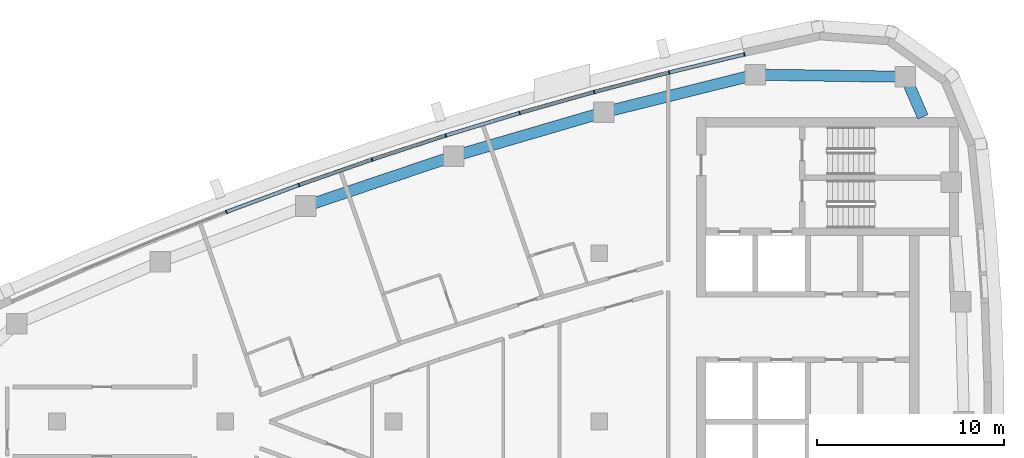
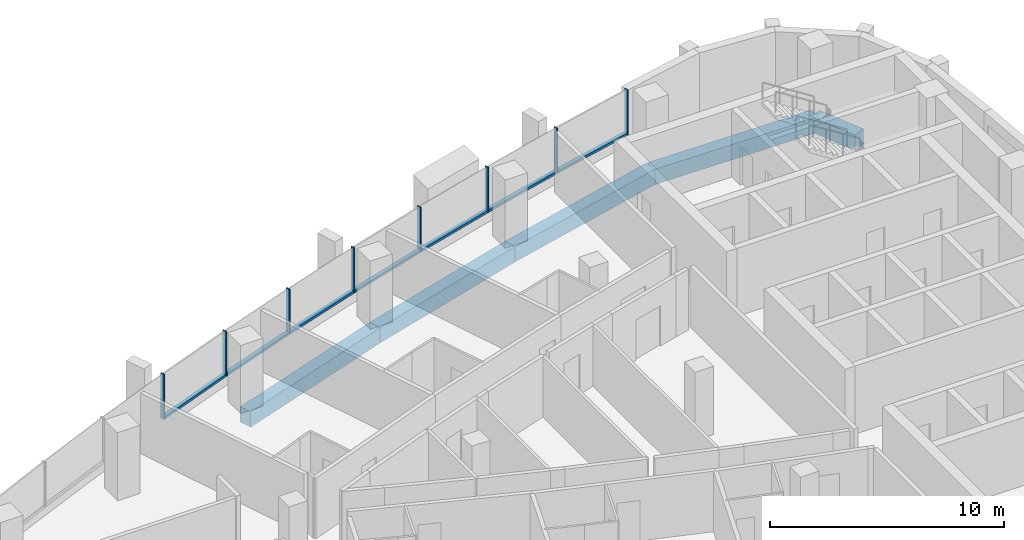
# One storey, part 5 of 14: 15 members, 5 beams, 4 elements without a shape of their own.
"""IFC4 building model written with IfcOpenShell, lengths in metres."""

from ifc_helpers import new_model, si_unit, direction, frame, origin, origin_2d, place, context, subcontext, project, spatial, rectangle, extrude, material, layer, layer_set, material_profile, profile_set, type_object, element, aggregate, save


model = new_model("IFC4")

# Units and contexts
model_context = context("Model", 3, precision=1e-05, world=origin(), true_north=direction((0.0, 1.0)))
body_context = subcontext(model_context, "Body", "Model", "MODEL_VIEW")
ifc_project = project(units=[si_unit("LENGTHUNIT", "METRE"), si_unit("AREAUNIT", "SQUARE_METRE"), si_unit("VOLUMEUNIT", "CUBIC_METRE"), si_unit("PLANEANGLEUNIT", "RADIAN"), si_unit("MASSUNIT", "GRAM", prefix="KILO")], contexts=[model_context])

# Site, building, storey
site_placement = place(None, origin())
site = spatial("IfcSite", under=ifc_project, at=site_placement, CompositionType="ELEMENT")
building_placement = place(site_placement, origin())
building = spatial("IfcBuilding", under=site, at=building_placement, Name="Ostrand Prow Hotel Tower", CompositionType="ELEMENT")
storey_placement = place(building_placement, frame((0.0, 0.0, 299.85009765625)))
storey = spatial("IfcBuildingStorey", under=building, at=storey_placement, Name="L76", CompositionType="ELEMENT", Elevation=299.85009765625)

# Beams
ifc_material_1 = material(Name="Concrete C50/60", Category="concrete")
ifc_material_profile_1 = material_profile(ifc_material_1, rectangle(XDim=0.60009765625, YDim=0.800048828125, at=origin_2d()), Name="RC 600x800")
ifc_profile_set_1 = profile_set([ifc_material_profile_1], Name="Concrete C50/60")
beam_type = type_object("IfcBeamType", Name="Edge beam 600x800 C50/60", PredefinedType="SPANDREL", material=ifc_profile_set_1)
beam_1_placement = place(storey_placement, frame((62.304931640625, 16.300048828125, -0.7001953125), z_axis=(-0.398863844187, 0.91701016014, 0.0), x_axis=(-0.91701016014, -0.398863844187, 0.0)))
element("IfcBeam", 1, at=beam_1_placement, inside=storey, type_object=beam_type, Name="Edge beam B5-NE", PredefinedType="SPANDREL", context=body_context, shape_type="SweptSolid", body=[
    extrude(rectangle(XDim=0.60009765625, YDim=0.800048828125, at=origin_2d()), origin(), (0.0, 0.0, 1.0), 2.333251953125),
])
beam_2_placement = place(storey_placement, frame((61.374267578125, 18.439697265625, -0.7001953125), z_axis=(-0.999900689486, 0.014092947356, 0.0), x_axis=(-0.014092947356, -0.999900689486, 0.0)))
element("IfcBeam", 2, at=beam_2_placement, inside=storey, type_object=beam_type, Name="Edge beam NE-N1", PredefinedType="SPANDREL", context=body_context, shape_type="SweptSolid", body=[
    extrude(rectangle(XDim=0.60009765625, YDim=0.800048828125, at=origin_2d()), origin(), (0.0, 0.0, 1.0), 8.0380859375),
])
for number, where, z_axis, x_axis, name in (
    (3, (53.3369140625, 18.552978515625, -0.7001953125), (-0.970456465292, -0.241276291775, 0.0), (0.241276291775, -0.970456465292, 0.0), "Edge beam N1-N2"),
    (4, (45.234619140625, 16.53857421875, -0.7001953125), (-0.959821966031, -0.280609681809, 0.0), (0.280609681809, -0.959821966031, 0.0), "Edge beam N2-N3"),
    (5, (37.22119140625, 14.19580078125, -0.7001953125), (-0.947575089419, -0.319533174981, 0.0), (0.319533174981, -0.947575089419, 0.0), "Edge beam N3-N4"),
):
    element("IfcBeam", number, at=place(storey_placement, frame(where, z_axis=z_axis, x_axis=x_axis)), inside=storey, type_object=beam_type, Name=name, PredefinedType="SPANDREL", context=body_context, shape_type="SweptSolid", body=[
        extrude(rectangle(XDim=0.60009765625, YDim=0.800048828125, at=origin_2d()), origin(), (0.0, 0.0, 1.0), 8.348876953125),
    ])

# Curtain wall, members
ifc_material_2 = material(Name="Insulated glass in bronze anodised frame", Category="glass")
ifc_layer = layer(ifc_material_2, 0.199951171875)
ifc_layer_set = layer_set([ifc_layer], Name="Insulated glass in bronze anodised frame")
curtain_wall_type = type_object("IfcCurtainWallType", Name="Strip curtain wall, fritted glass over bronze spandrel", PredefinedType="NOTDEFINED", material=ifc_layer_set)
curtain_wall_1_placement = place(storey_placement, origin())
curtain_wall_1 = element("IfcCurtainWall", 6, at=curtain_wall_1_placement, inside=storey, type_object=curtain_wall_type, Name="CW1 run CWN1", PredefinedType="NOTDEFINED")
ifc_material_3 = material(Name="Bronze anodised aluminium", Category="aluminium")
ifc_material_profile_2 = material_profile(ifc_material_3, rectangle(XDim=0.199951171875, YDim=0.06005859375, at=origin_2d()), Name="Mullion 60x200 bronze anodised aluminium")
ifc_profile_set_2 = profile_set([ifc_material_profile_2], Name="Bronze anodised aluminium")
member_type_1 = type_object("IfcMemberType", Name="Mullion 60x200 bronze anodised aluminium", PredefinedType="MULLION", material=ifc_profile_set_2)
member_1_placement = place(storey_placement, frame((52.7607421875, 19.634521484375, 0.89990234375), z_axis=(0.0, 0.0, 1.0), x_axis=(0.232746096028, -0.972537533869, 0.0)))
member_1 = element("IfcMember", 7, at=member_1_placement, type_object=member_type_1, Name="CW1 mullion 1", PredefinedType="MULLION", context=body_context, shape_type="SweptSolid", body=[
    extrude(rectangle(XDim=0.199951171875, YDim=0.06005859375, at=origin_2d()), origin(), (0.0, 0.0, 1.0), 2.35009765625),
])
member_2_placement = place(storey_placement, frame((48.734619140625, 18.6708984375, 0.89990234375), z_axis=(0.0, 0.0, 1.0), x_axis=(0.252248384867, -0.967662519855, 0.0)))
member_2 = element("IfcMember", 8, at=member_2_placement, type_object=member_type_1, Name="CW1 mullion 2", PredefinedType="MULLION", context=body_context, shape_type="SweptSolid", body=[
    extrude(rectangle(XDim=0.199951171875, YDim=0.06005859375, at=origin_2d()), origin(), (0.0, 0.0, 1.0), 2.35009765625),
])
member_3_placement = place(storey_placement, frame((44.728515625, 17.626708984375, 0.89990234375), z_axis=(0.0, 0.0, 1.0), x_axis=(0.252248384867, -0.967662519855, 0.0)))
member_3 = element("IfcMember", 9, at=member_3_placement, type_object=member_type_1, Name="CW1 mullion 3", PredefinedType="MULLION", context=body_context, shape_type="SweptSolid", body=[
    extrude(rectangle(XDim=0.199951171875, YDim=0.06005859375, at=origin_2d()), origin(), (0.0, 0.0, 1.0), 2.35009765625),
])

curtain_wall_2_placement = place(storey_placement, origin())
curtain_wall_2 = element("IfcCurtainWall", 10, at=curtain_wall_2_placement, inside=storey, type_object=curtain_wall_type, Name="CW1 run CWN2", PredefinedType="NOTDEFINED")
member_4_placement = place(storey_placement, frame((40.744384765625, 16.502197265625, 0.89990234375), z_axis=(0.0, 0.0, 1.0), x_axis=(0.290937648411, -0.956742015769, 0.0)))
member_4 = element("IfcMember", 11, at=member_4_placement, type_object=member_type_1, Name="CW1 mullion 2", PredefinedType="MULLION", context=body_context, shape_type="SweptSolid", body=[
    extrude(rectangle(XDim=0.199951171875, YDim=0.06005859375, at=origin_2d()), origin(), (0.0, 0.0, 1.0), 2.35009765625),
])
member_5_placement = place(storey_placement, frame((36.78369140625, 15.297607421875, 0.89990234375), z_axis=(0.0, 0.0, 1.0), x_axis=(0.290937648411, -0.956742015769, 0.0)))
member_5 = element("IfcMember", 12, at=member_5_placement, type_object=member_type_1, Name="CW1 mullion 3", PredefinedType="MULLION", context=body_context, shape_type="SweptSolid", body=[
    extrude(rectangle(XDim=0.199951171875, YDim=0.06005859375, at=origin_2d()), origin(), (0.0, 0.0, 1.0), 2.35009765625),
])

curtain_wall_3_placement = place(storey_placement, origin())
curtain_wall_3 = element("IfcCurtainWall", 13, at=curtain_wall_3_placement, inside=storey, type_object=curtain_wall_type, Name="CW1 run CWN3", PredefinedType="NOTDEFINED")
member_6_placement = place(storey_placement, frame((32.84814453125, 14.013916015625, 0.89990234375), z_axis=(0.0, 0.0, 1.0), x_axis=(0.329158370885, -0.944274730614, 0.0)))
member_6 = element("IfcMember", 14, at=member_6_placement, type_object=member_type_1, Name="CW1 mullion 2", PredefinedType="MULLION", context=body_context, shape_type="SweptSolid", body=[
    extrude(rectangle(XDim=0.199951171875, YDim=0.06005859375, at=origin_2d()), origin(), (0.0, 0.0, 1.0), 2.35009765625),
])
member_7_placement = place(storey_placement, frame((28.93896484375, 12.6513671875, 0.89990234375), z_axis=(0.0, 0.0, 1.0), x_axis=(0.329158370885, -0.944274730614, 0.0)))
member_7 = element("IfcMember", 15, at=member_7_placement, type_object=member_type_1, Name="CW1 mullion 3", PredefinedType="MULLION", context=body_context, shape_type="SweptSolid", body=[
    extrude(rectangle(XDim=0.199951171875, YDim=0.06005859375, at=origin_2d()), origin(), (0.0, 0.0, 1.0), 2.35009765625),
])

# Curtain wall, member
curtain_wall_4_placement = place(storey_placement, origin())
curtain_wall_4 = element("IfcCurtainWall", 16, at=curtain_wall_4_placement, inside=storey, type_object=curtain_wall_type, Name="CW1 run CWN4", PredefinedType="NOTDEFINED")
member_8_placement = place(storey_placement, frame((25.05810546875, 11.210205078125, 0.89990234375), z_axis=(0.0, 0.0, 1.0), x_axis=(0.366845465248, -0.930281895249, 0.0)))
member_8 = element("IfcMember", 17, at=member_8_placement, type_object=member_type_1, Name="CW1 mullion 2", PredefinedType="MULLION", context=body_context, shape_type="SweptSolid", body=[
    extrude(rectangle(XDim=0.199951171875, YDim=0.06005859375, at=origin_2d()), origin(), (0.0, 0.0, 1.0), 2.35009765625),
])

# Member
ifc_material_4 = material(Name="Bronze anodised aluminium", Category="aluminium")
ifc_material_profile_3 = material_profile(ifc_material_4, rectangle(XDim=0.199951171875, YDim=0.1201171875, at=origin_2d()), Name="Transom 120x200 bronze anodised aluminium")
ifc_profile_set_3 = profile_set([ifc_material_profile_3], Name="Bronze anodised aluminium")
member_type_2 = type_object("IfcMemberType", Name="Transom 120x200 bronze anodised aluminium", PredefinedType="USERDEFINED", material=ifc_profile_set_3)
member_9_placement = place(storey_placement, frame((52.7314453125, 19.62744140625, 0.9599609375), z_axis=(-0.972542980558, -0.232723335675, 0.0), x_axis=(0.232723335675, -0.972542980558, 0.0)))
member_9 = element("IfcMember", 18, at=member_9_placement, type_object=member_type_2, Name="CW1 transom 1.1", ObjectType="TRANSOM", PredefinedType="USERDEFINED", context=body_context, shape_type="SweptSolid", body=[
    extrude(rectangle(XDim=0.199951171875, YDim=0.1201171875, at=origin_2d()), origin(), (0.0, 0.0, 1.0), 4.079833984375),
])

member_10_placement = place(storey_placement, frame((48.70556640625, 18.663330078125, 0.9599609375), z_axis=(-0.967664917891, -0.252239185461, 0.0), x_axis=(0.252239185461, -0.967664917891, 0.0)))
member_10 = element("IfcMember", 19, at=member_10_placement, type_object=member_type_2, Name="CW1 transom 2.1", ObjectType="TRANSOM", PredefinedType="USERDEFINED", context=body_context, shape_type="SweptSolid", body=[
    extrude(rectangle(XDim=0.199951171875, YDim=0.1201171875, at=origin_2d()), origin(), (0.0, 0.0, 1.0), 4.07958984375),
])

aggregate(curtain_wall_1, [member_1, member_2, member_3, member_9, member_10])

member_11_placement = place(storey_placement, frame((44.69970703125, 17.61865234375, 0.9599609375), z_axis=(-0.962386308628, -0.271684730828, 0.0), x_axis=(0.271684730828, -0.962386308628, 0.0)))
member_11 = element("IfcMember", 20, at=member_11_placement, type_object=member_type_2, Name="CW1 transom 1.1", ObjectType="TRANSOM", PredefinedType="USERDEFINED", context=body_context, shape_type="SweptSolid", body=[
    extrude(rectangle(XDim=0.199951171875, YDim=0.1201171875, at=origin_2d()), origin(), (0.0, 0.0, 1.0), 4.079833984375),
])

member_12_placement = place(storey_placement, frame((40.7158203125, 16.493408203125, 0.9599609375), z_axis=(-0.956739081124, -0.290947298751, 0.0), x_axis=(0.290947298751, -0.956739081124, 0.0)))
member_12 = element("IfcMember", 21, at=member_12_placement, type_object=member_type_2, Name="CW1 transom 2.1", ObjectType="TRANSOM", PredefinedType="USERDEFINED", context=body_context, shape_type="SweptSolid", body=[
    extrude(rectangle(XDim=0.199951171875, YDim=0.1201171875, at=origin_2d()), origin(), (0.0, 0.0, 1.0), 4.079833984375),
])

aggregate(curtain_wall_2, [member_4, member_5, member_11, member_12])

member_13_placement = place(storey_placement, frame((36.75537109375, 15.288330078125, 0.9599609375), z_axis=(-0.950704145978, -0.310099382165, 0.0), x_axis=(0.310099382165, -0.950704145978, 0.0)))
member_13 = element("IfcMember", 22, at=member_13_placement, type_object=member_type_2, Name="CW1 transom 1.1", ObjectType="TRANSOM", PredefinedType="USERDEFINED", context=body_context, shape_type="SweptSolid", body=[
    extrude(rectangle(XDim=0.199951171875, YDim=0.1201171875, at=origin_2d()), origin(), (0.0, 0.0, 1.0), 4.079833984375),
])

member_14_placement = place(storey_placement, frame((32.81982421875, 14.004150390625, 0.9599609375), z_axis=(-0.944268108385, -0.329177367822, 0.0), x_axis=(0.329177367822, -0.944268108385, 0.0)))
member_14 = element("IfcMember", 23, at=member_14_placement, type_object=member_type_2, Name="CW1 transom 2.1", ObjectType="TRANSOM", PredefinedType="USERDEFINED", context=body_context, shape_type="SweptSolid", body=[
    extrude(rectangle(XDim=0.199951171875, YDim=0.1201171875, at=origin_2d()), origin(), (0.0, 0.0, 1.0), 4.079833984375),
])

aggregate(curtain_wall_3, [member_6, member_7, member_13, member_14])

member_15_placement = place(storey_placement, frame((28.910888671875, 12.640869140625, 0.9599609375), z_axis=(-0.937460424566, -0.348091873465, 0.0), x_axis=(0.348091873465, -0.937460424566, 0.0)))
member_15 = element("IfcMember", 24, at=member_15_placement, type_object=member_type_2, Name="CW1 transom 1.1", ObjectType="TRANSOM", PredefinedType="USERDEFINED", context=body_context, shape_type="SweptSolid", body=[
    extrude(rectangle(XDim=0.199951171875, YDim=0.1201171875, at=origin_2d()), origin(), (0.0, 0.0, 1.0), 4.079833984375),
])

aggregate(curtain_wall_4, [member_8, member_15])

save(model, "model.ifc")
